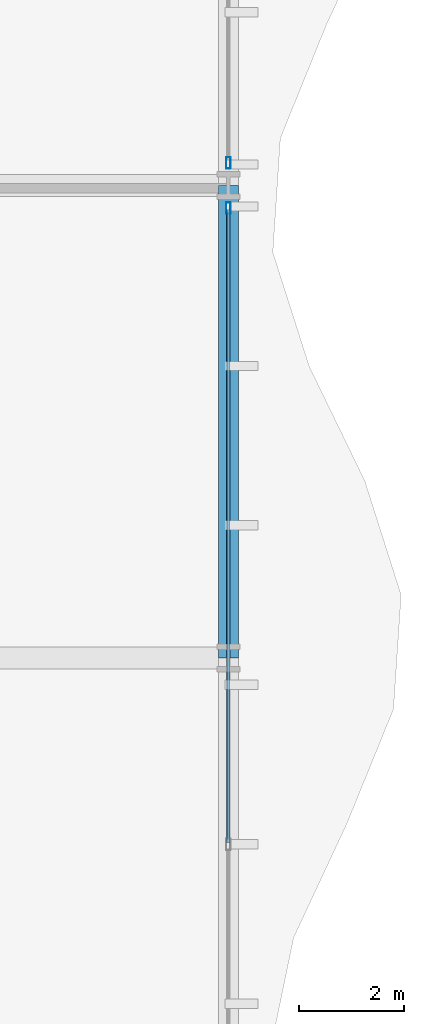
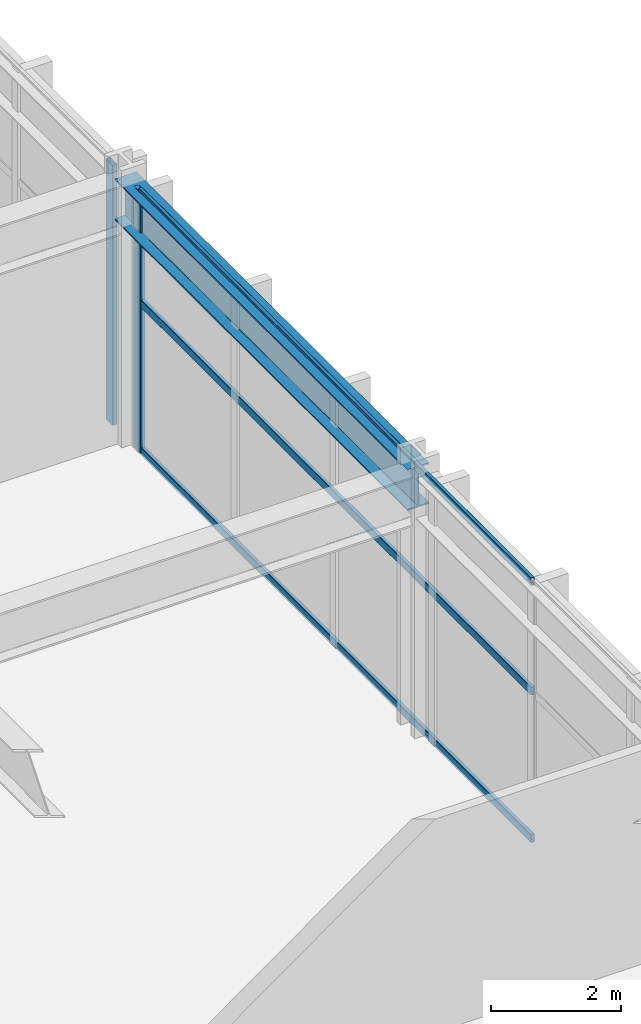
# One storey, part 18 of 33: 5 members, 1 beam, 2 elements without a shape of their own.
"""IFC4 building model written with IfcOpenShell, lengths in metres."""

from ifc_helpers import new_model, si_unit, direction, frame, origin, origin_2d, place, context, subcontext, project, spatial, hollow_rectangle, i_section, extrude, material, layer, layer_set, material_profile, profile_set, type_object, element, aggregate, save


model = new_model("IFC4")

# Units and contexts
model_context = context("Model", 3, precision=1e-05, world=origin(), true_north=direction((0.0, 1.0)))
body_context = subcontext(model_context, "Body", "Model", "MODEL_VIEW")
ifc_project = project(units=[si_unit("LENGTHUNIT", "METRE"), si_unit("AREAUNIT", "SQUARE_METRE"), si_unit("VOLUMEUNIT", "CUBIC_METRE"), si_unit("PLANEANGLEUNIT", "RADIAN"), si_unit("MASSUNIT", "GRAM", prefix="KILO")], contexts=[model_context])

# Site, building, storey
site_placement = place(None, origin())
site = spatial("IfcSite", under=ifc_project, at=site_placement, CompositionType="ELEMENT")
building_placement = place(site_placement, origin())
building = spatial("IfcBuilding", under=site, at=building_placement, Name="Solvaryn Broadcast Tower", CompositionType="ELEMENT")
storey_placement = place(building_placement, frame((0.0, 0.0, 5.800048828125)))
storey = spatial("IfcBuildingStorey", under=building, at=storey_placement, Name="L01", CompositionType="ELEMENT", Elevation=5.800048828125)

# Beam
ifc_material_1 = material(Name="Steel ASTM A992 Grade 50", Category="steel")
ifc_material_profile_1 = material_profile(ifc_material_1, i_section(OverallWidth=0.381103515625, OverallDepth=0.77294921875, WebThickness=0.0166015625, FlangeThickness=0.027099609375, FilletRadius=0.01806640625, at=origin_2d()))
ifc_profile_set_1 = profile_set([ifc_material_profile_1], Name="Steel ASTM A992 Grade 50")
beam_type = type_object("IfcBeamType", Name="BM-SP1-W30X173", PredefinedType="USERDEFINED", material=ifc_profile_set_1)
beam_placement = place(storey_placement, frame((63.0, 18.0, 4.493408203125), z_axis=(0.0, 1.0, 0.0), x_axis=(-1.0, 0.0, 0.0)))
element("IfcBeam", 1, at=beam_placement, inside=storey, type_object=beam_type, Name="L01 Spandrel Beam Y (18-27 @ X=63)", ObjectType="SPANDREL", PredefinedType="USERDEFINED", context=body_context, shape_type="SweptSolid", body=[
    extrude(i_section(OverallWidth=0.381103515625, OverallDepth=0.77294921875, WebThickness=0.0166015625, FlangeThickness=0.027099609375, FilletRadius=0.01806640625, at=origin_2d()), origin(), (0.0, 0.0, 1.0), 9.0),
])

# Curtain wall, member
ifc_material_2 = material(Name="Aluminium and Terracotta Unitised Curtain Wall", Category="masonry")
ifc_layer = layer(ifc_material_2, 0.219970703125)
ifc_layer_set = layer_set([ifc_layer], Name="CW-SYS1-PODIUM")
curtain_wall_type = type_object("IfcCurtainWallType", Name="CW-SYS1-PODIUM", PredefinedType="NOTDEFINED", material=ifc_layer_set)
curtain_wall_1_placement = place(storey_placement, origin())
curtain_wall_1 = element("IfcCurtainWall", 2, at=curtain_wall_1_placement, inside=storey, type_object=curtain_wall_type, Name="L01 Podium Curtain Wall E1", PredefinedType="NOTDEFINED")
ifc_material_3 = material(Name="Anodised Aluminium 6063-T6", Category="aluminium")
ifc_material_profile_2 = material_profile(ifc_material_3, hollow_rectangle(XDim=0.0849609375, YDim=0.219970703125, WallThickness=0.0048828125, InnerFilletRadius=0.0048828125, OuterFilletRadius=0.010009765625, at=origin_2d()))
ifc_profile_set_2 = profile_set([ifc_material_profile_2], Name="Anodised Aluminium 6063-T6")
member_type_1 = type_object("IfcMemberType", Name="CW-MUL-220", PredefinedType="MULLION", material=ifc_profile_set_2)
member_1_placement = place(storey_placement, frame((63.0, 27.429931640625, 0.0), z_axis=(0.0, 0.0, 1.0), x_axis=(1.0, 0.0, 0.0)))
member_1 = element("IfcMember", 3, at=member_1_placement, type_object=member_type_1, Name="CWS1 mullion 3", PredefinedType="MULLION", context=body_context, shape_type="SweptSolid", body=[
    extrude(hollow_rectangle(XDim=0.0849609375, YDim=0.219970703125, WallThickness=0.0048828125, InnerFilletRadius=0.0048828125, OuterFilletRadius=0.010009765625, at=origin_2d()), origin(), (0.0, 0.0, 1.0), 4.8798828125),
])
aggregate(curtain_wall_1, [member_1])

# Curtain wall, members
curtain_wall_2_placement = place(storey_placement, origin())
curtain_wall_2 = element("IfcCurtainWall", 4, at=curtain_wall_2_placement, inside=storey, type_object=curtain_wall_type, Name="L01 Podium Curtain Wall E2", PredefinedType="NOTDEFINED")
member_2_placement = place(storey_placement, frame((63.0, 26.570068359375, 0.0), z_axis=(0.0, 0.0, 1.0), x_axis=(1.0, 0.0, 0.0)))
member_2 = element("IfcMember", 5, at=member_2_placement, type_object=member_type_1, Name="CWS1 mullion 1", PredefinedType="MULLION", context=body_context, shape_type="SweptSolid", body=[
    extrude(hollow_rectangle(XDim=0.0849609375, YDim=0.219970703125, WallThickness=0.0048828125, InnerFilletRadius=0.0048828125, OuterFilletRadius=0.010009765625, at=origin_2d()), origin(), (0.0, 0.0, 1.0), 4.8798828125),
])
ifc_material_4 = material(Name="Anodised Aluminium 6063-T6", Category="aluminium")
ifc_material_profile_3 = material_profile(ifc_material_4, hollow_rectangle(XDim=0.06494140625, YDim=0.14990234375, WallThickness=0.00390625, InnerFilletRadius=0.00390625, OuterFilletRadius=0.008056640625, at=origin_2d()))
ifc_profile_set_3 = profile_set([ifc_material_profile_3], Name="Anodised Aluminium 6063-T6")
member_type_2 = type_object("IfcMemberType", Name="CW-TRN-150", PredefinedType="USERDEFINED", material=ifc_profile_set_3)
member_3_placement = place(storey_placement, frame((63.0, 26.5400390625, 0.030029296875), z_axis=(0.0, -1.0, 0.0), x_axis=(1.0, 0.0, 0.0)))
member_3 = element("IfcMember", 6, at=member_3_placement, type_object=member_type_2, Name="CWS1 transom 1.1", ObjectType="TRANSOM", PredefinedType="USERDEFINED", context=body_context, shape_type="SweptSolid", body=[
    extrude(hollow_rectangle(XDim=0.06494140625, YDim=0.14990234375, WallThickness=0.00390625, InnerFilletRadius=0.00390625, OuterFilletRadius=0.008056640625, at=origin_2d()), origin(), (0.0, 0.0, 1.0), 12.06005859375),
])
member_4_placement = place(storey_placement, frame((63.0, 26.5400390625, 2.800048828125), z_axis=(0.0, -1.0, 0.0), x_axis=(1.0, 0.0, 0.0)))
member_4 = element("IfcMember", 7, at=member_4_placement, type_object=member_type_2, Name="CWS1 transom 1.2", ObjectType="TRANSOM", PredefinedType="USERDEFINED", context=body_context, shape_type="SweptSolid", body=[
    extrude(hollow_rectangle(XDim=0.06494140625, YDim=0.14990234375, WallThickness=0.00390625, InnerFilletRadius=0.00390625, OuterFilletRadius=0.008056640625, at=origin_2d()), origin(), (0.0, 0.0, 1.0), 12.06005859375),
])
member_5_placement = place(storey_placement, frame((63.0, 26.5400390625, 4.849853515625), z_axis=(0.0, -1.0, 0.0), x_axis=(1.0, 0.0, 0.0)))
member_5 = element("IfcMember", 8, at=member_5_placement, type_object=member_type_2, Name="CWS1 transom 1.3", ObjectType="TRANSOM", PredefinedType="USERDEFINED", context=body_context, shape_type="SweptSolid", body=[
    extrude(hollow_rectangle(XDim=0.06494140625, YDim=0.14990234375, WallThickness=0.00390625, InnerFilletRadius=0.00390625, OuterFilletRadius=0.008056640625, at=origin_2d()), origin(), (0.0, 0.0, 1.0), 12.06005859375),
])
aggregate(curtain_wall_2, [member_2, member_3, member_4, member_5])

save(model, "model.ifc")
